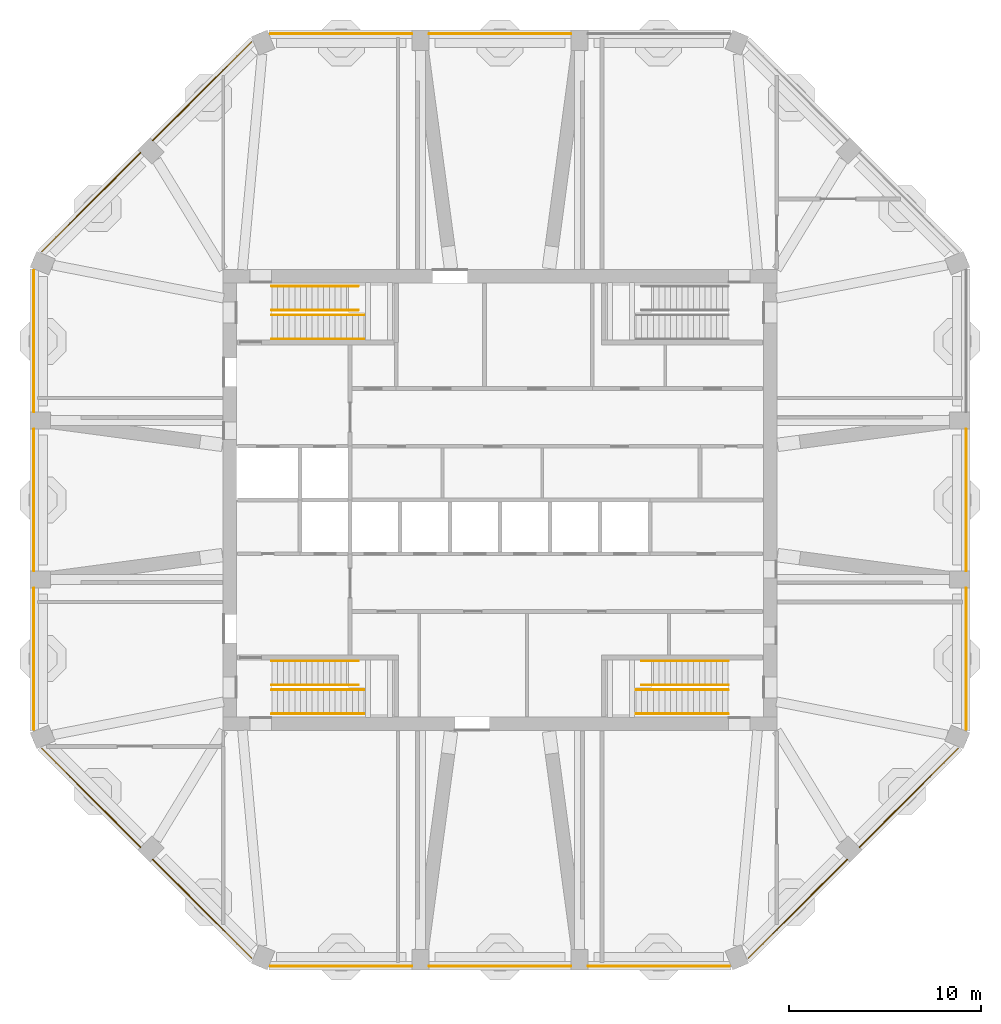
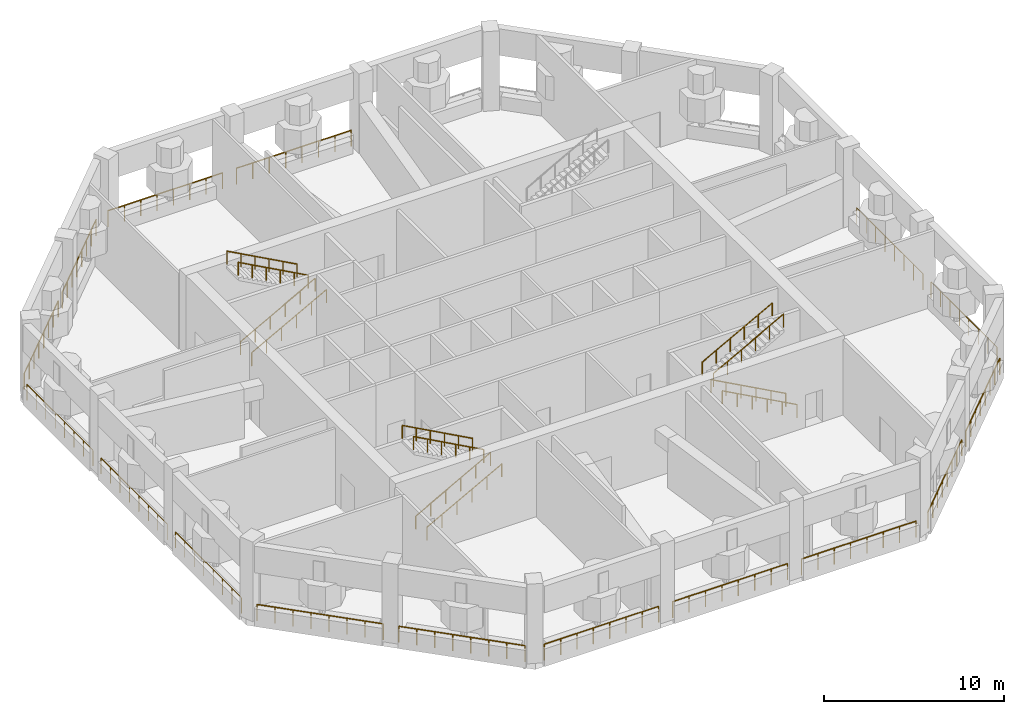
# One storey, part 7 of 9: 28 railings.
"""IFC4 building model written with IfcOpenShell, lengths in metres."""

import ifcopenshell
import ifcopenshell.guid

model = None  # the IFC model being written
_history = None  # IfcOwnerHistory: only IFC2X3 demands one
_inside = {}  # id of a spatial element -> (the spatial element, [elements in it])
_under = {}  # id of a project, library or spatial element -> (it, [spatial elements below it])
_declared = {}  # id of a project -> (the project, [libraries it declares])
_typed = {}  # id of a type object -> (the type object, [elements of that type])
_made_of = {}  # id of a material, layer set ... -> (it, [elements and type objects made of it])


def new_model(schema):
    """Start an empty IFC model of exactly this schema.

    Asked for "IFC4X3", IfcOpenShell would pick the latest addendum, in which some entities
    have other attributes; the version numbers below select the first issue.
    IFC2X3 requires an IfcOwnerHistory on every rooted entity: one is made here for all.
    """
    global model, _history
    if schema == "IFC4X3":
        model = ifcopenshell.file(schema_version=(4, 3, 0, 0))
    else:
        model = ifcopenshell.file(schema=schema)
    _inside.clear()
    _under.clear()
    _declared.clear()
    _typed.clear()
    _made_of.clear()
    _history = None
    if model.schema == "IFC2X3":
        org = make("IfcOrganization", Name="unknown")
        user = make(
            "IfcPersonAndOrganization",
            ThePerson=make("IfcPerson", FamilyName="unknown"),
            TheOrganization=org,
        )
        app = make(
            "IfcApplication",
            ApplicationDeveloper=org,
            Version="unknown",
            ApplicationFullName="unknown",
            ApplicationIdentifier="unknown",
        )
        _history = make(
            "IfcOwnerHistory",
            OwningUser=user,
            OwningApplication=app,
            ChangeAction="ADDED",
            CreationDate=0,
        )
    return model


def make(cls, **values):
    """One entity of the class cls with the attributes given. An attribute that is None is left unset."""
    return model.create_entity(
        cls, **{name: value for name, value in values.items() if value is not None}
    )


def rooted(cls, **values):
    """An entity with a GlobalId (a new one), such as an element, a storey or a relation."""
    return make(cls, GlobalId=ifcopenshell.guid.new(), OwnerHistory=_history, **values)


def si_unit(unit_type, name, prefix=None):
    """IfcSIUnit, for example si_unit("LENGTHUNIT", "METRE", prefix="MILLI")."""
    return make("IfcSIUnit", UnitType=unit_type, Prefix=prefix, Name=name)


def assignment(units):
    """IfcUnitAssignment: the units of a project."""
    return None if units is None else make("IfcUnitAssignment", Units=units)


def point(xyz):
    """IfcCartesianPoint."""
    return None if xyz is None else make("IfcCartesianPoint", Coordinates=xyz)


def direction(xyz):
    """IfcDirection."""
    return None if xyz is None else make("IfcDirection", DirectionRatios=xyz)


def frame(location, z_axis=None, x_axis=None):
    """IfcAxis2Placement3D, a coordinate frame: its origin and axes. An axis left out is left unset."""
    return make(
        "IfcAxis2Placement3D",
        Location=point(location),
        Axis=direction(z_axis),
        RefDirection=direction(x_axis),
    )


def frame_2d(location, x_axis=None):
    """IfcAxis2Placement2D, a coordinate frame in the plane: its origin and x axis."""
    return make(
        "IfcAxis2Placement2D", Location=point(location), RefDirection=direction(x_axis)
    )


def origin():
    """The frame at (0, 0, 0) with its axes left unset."""
    return frame((0.0, 0.0, 0.0))


def origin_2d():
    """The frame at (0, 0) in the plane with its x axis left unset."""
    return frame_2d((0.0, 0.0))


def place(relative_to, where):
    """IfcLocalPlacement: puts the frame where relative to a parent placement (None: the world)."""
    return make(
        "IfcLocalPlacement", PlacementRelTo=relative_to, RelativePlacement=where
    )


def context(
    kind, dimensions, precision=None, world=None, true_north=None, identifier=None
):
    """IfcGeometricRepresentationContext, for example the 3D "Model" context."""
    return make(
        "IfcGeometricRepresentationContext",
        ContextIdentifier=identifier,
        ContextType=kind,
        CoordinateSpaceDimension=dimensions,
        Precision=precision,
        WorldCoordinateSystem=world,
        TrueNorth=true_north,
    )


def subcontext(parent, identifier, kind, view, scale=None):
    """IfcGeometricRepresentationSubContext, for example "Body" below "Model"."""
    return make(
        "IfcGeometricRepresentationSubContext",
        ContextIdentifier=identifier,
        ContextType=kind,
        ParentContext=parent,
        TargetScale=scale,
        TargetView=view,
    )


def project(units=None, contexts=None):
    """IfcProject with its units and contexts."""
    return rooted(
        "IfcProject",
        Name="project",
        RepresentationContexts=contexts,
        UnitsInContext=assignment(units),
    )


def spatial(cls, under=None, at=None, **own):
    """A site, building, storey or space (cls), placed at a placement, below another one or the project."""
    s = rooted(cls, ObjectPlacement=at, **own)
    if under is not None:
        _under.setdefault(under.id(), (under, []))[1].append(s)
    return s


def profile(cls, at=None, kind="AREA", **sizes):
    """A parametric profile (cls). Its sizes go by their IFC names, for example OverallWidth=200.0."""
    return make(cls, ProfileType=kind, Position=at, **sizes)


def circle(**sizes):
    """IfcCircleProfileDef."""
    return profile("IfcCircleProfileDef", **sizes)


def extrude(swept, where, along, depth):
    """IfcExtrudedAreaSolid: the profile swept, set in the frame where, extruded along a direction by depth."""
    return make(
        "IfcExtrudedAreaSolid",
        SweptArea=swept,
        Position=where,
        ExtrudedDirection=direction(along),
        Depth=depth,
    )


def shape(context_of_items, identifier, shape_type, items):
    """IfcShapeRepresentation: the items that make up one representation, for example the "Body"."""
    return make(
        "IfcShapeRepresentation",
        ContextOfItems=context_of_items,
        RepresentationIdentifier=identifier,
        RepresentationType=shape_type,
        Items=items,
    )


def material(Name=None, Category=None):
    """IfcMaterial."""
    return make("IfcMaterial", Name=Name, Category=Category)


def constituent(of_material, Name=None, Category=None, fraction=None):
    """IfcMaterialConstituent: one of the materials an element consists of."""
    return make(
        "IfcMaterialConstituent",
        Name=Name,
        Material=of_material,
        Fraction=fraction,
        Category=Category,
    )


def constituent_set(constituents=None, Name=None):
    """IfcMaterialConstituentSet."""
    return make(
        "IfcMaterialConstituentSet", Name=Name, MaterialConstituents=constituents
    )


def made_of(thing, what):
    """Note that an element or type object is made of a material, layer set ...; save() writes the relation."""
    if what is not None:
        _made_of.setdefault(what.id(), (what, []))[1].append(thing)
    return thing


def type_object(cls, material=None, **own):
    """A type object (cls), such as IfcWallType, which elements share."""
    return made_of(rooted(cls, **own), material)


def element(
    cls,
    number,
    at=None,
    inside=None,
    cuts=None,
    type_object=None,
    material=None,
    context=None,
    identifier="Body",
    shape_type=None,
    held_by="IfcProductDefinitionShape",
    body=None,
    shapes=None,
    **own,
):
    """One element of the class cls, such as IfcWall. Its Tag is "e" and its number.

    at: its placement. inside: the storey or other place that contains it. cuts: it is an
    opening in that element (IfcRelVoidsElement). A single representation is given by context,
    identifier, shape_type and body (its items); several are given by shapes. held_by: the class
    of the entity that holds the representations. save() writes the other relations.
    """
    e = rooted(cls, Tag="e%d" % number, ObjectPlacement=at, **own)
    if body is not None:
        shapes = [shape(context, identifier, shape_type, body)]
    if shapes is not None:
        e.Representation = make(held_by, Representations=shapes)
    if inside is not None:
        _inside.setdefault(inside.id(), (inside, []))[1].append(e)
    if cuts is not None:
        rooted(
            "IfcRelVoidsElement", RelatingBuildingElement=cuts, RelatedOpeningElement=e
        )
    if type_object is not None:
        _typed.setdefault(type_object.id(), (type_object, []))[1].append(e)
    return made_of(e, material)


def aggregate(whole, parts):
    """IfcRelAggregates: a whole, such as a stair, and the parts it consists of."""
    return rooted("IfcRelAggregates", RelatingObject=whole, RelatedObjects=parts)


def save(model, path):
    """Write the relations noted so far, then the file.

    IfcRelAggregates (storeys below a building ...), IfcRelContainedInSpatialStructure (elements
    in a storey), IfcRelDefinesByType, IfcRelAssociatesMaterial and IfcRelDeclares: one each for
    every whole, place, type object, material and project.
    """
    for whole, parts in _under.values():
        aggregate(whole, parts)
    for where, things in _inside.values():
        rooted(
            "IfcRelContainedInSpatialStructure",
            RelatedElements=things,
            RelatingStructure=where,
        )
    for kind, things in _typed.values():
        rooted("IfcRelDefinesByType", RelatedObjects=things, RelatingType=kind)
    for what, things in _made_of.values():
        rooted("IfcRelAssociatesMaterial", RelatedObjects=things, RelatingMaterial=what)
    for by, libraries in _declared.values():
        rooted("IfcRelDeclares", RelatingContext=by, RelatedDefinitions=libraries)
    model.write(path)


model = new_model("IFC4")

# Units and contexts
model_context = context("Model", 3, precision=1e-05, world=origin(), true_north=direction((0.0, 1.0)))
body_context = subcontext(model_context, "Body", "Model", "MODEL_VIEW")
ifc_project = project(units=[si_unit("LENGTHUNIT", "METRE"), si_unit("AREAUNIT", "SQUARE_METRE"), si_unit("VOLUMEUNIT", "CUBIC_METRE"), si_unit("PLANEANGLEUNIT", "RADIAN"), si_unit("MASSUNIT", "GRAM", prefix="KILO")], contexts=[model_context])

# Site, building, storey
site_placement = place(None, origin())
site = spatial("IfcSite", under=ifc_project, at=site_placement, CompositionType="ELEMENT")
building_placement = place(site_placement, origin())
building = spatial("IfcBuilding", under=site, at=building_placement, Name="Msitu Wima Residences", CompositionType="ELEMENT")
storey_placement = place(building_placement, frame((0.0, 0.0, 208.5)))
storey = spatial("IfcBuildingStorey", under=building, at=storey_placement, Name="L48", CompositionType="ELEMENT", Elevation=208.5)

# Railings
ifc_material_1 = material(Name="Steel S355", Category="steel")
ifc_constituent_1 = constituent(ifc_material_1, Name="Steel S355")
ifc_material_2 = material(Name="Black powder coating")
ifc_constituent_2 = constituent(ifc_material_2, Name="Black powder coating")
ifc_constituent_set_1 = constituent_set(constituents=[ifc_constituent_1, ifc_constituent_2], Name="Steel S355")
railing_type_1 = type_object("IfcRailingType", Name="Stair handrail HR1", PredefinedType="HANDRAIL", material=ifc_constituent_set_1)
for number, where, name in (
    (1, (-11.875, 8.375, 0.16357421875), "Stair 1 handrail"),
    (2, (-11.875, 9.625, 0.16357421875), "Stair 1 handrail"),
):
    element("IfcRailing", number, at=place(storey_placement, frame(where)), inside=storey, type_object=railing_type_1, Name=name, PredefinedType="HANDRAIL", context=body_context, shape_type="SweptSolid", body=[
        extrude(circle(Radius=0.02392578125, at=origin_2d()), frame((0.0, 0.0, 0.8759765625), z_axis=(0.877898985768, 0.0, 0.478845873729), x_axis=(0.0, 1.0, 0.0)), (0.0, 0.0, 1.0), 5.4677734375),
        extrude(circle(Radius=0.02099609375, at=origin_2d()), origin(), (0.0, 0.0, 1.0), 0.851806640625),
        extrude(circle(Radius=0.02099609375, at=origin_2d()), frame((0.9599609375, 0.0, 0.523681640625)), (0.0, 0.0, 1.0), 0.851806640625),
        extrude(circle(Radius=0.02099609375, at=origin_2d()), frame((1.919921875, 0.0, 1.04736328125)), (0.0, 0.0, 1.0), 0.851806640625),
        extrude(circle(Radius=0.02099609375, at=origin_2d()), frame((2.880126953125, 0.0, 1.57080078125)), (0.0, 0.0, 1.0), 0.851806640625),
        extrude(circle(Radius=0.02099609375, at=origin_2d()), frame((3.840087890625, 0.0, 2.094482421875)), (0.0, 0.0, 1.0), 0.851806640625),
        extrude(circle(Radius=0.02099609375, at=origin_2d()), frame((4.800048828125, 0.0, 2.6181640625)), (0.0, 0.0, 1.0), 0.851806640625),
    ])
for number, where, name in (
    (3, (-7.375, 9.875, 2.945556640625), "Stair 1 handrail"),
    (4, (-7.375, 11.125, 2.945556640625), "Stair 1 handrail"),
):
    element("IfcRailing", number, at=place(storey_placement, frame(where)), inside=storey, type_object=railing_type_1, Name=name, PredefinedType="HANDRAIL", context=body_context, shape_type="SweptSolid", body=[
        extrude(circle(Radius=0.02392578125, at=origin_2d()), frame((0.0, 0.0, 0.8759765625), z_axis=(-0.877911954615, 0.0, 0.47882209634), x_axis=(0.0, -1.0, 0.0)), (0.0, 0.0, 1.0), 5.125732421875),
        extrude(circle(Radius=0.02099609375, at=origin_2d()), origin(), (0.0, 0.0, 1.0), 0.851806640625),
        extrude(circle(Radius=0.02099609375, at=origin_2d()), frame((-0.89990234375, 0.0, 0.490966796875)), (0.0, 0.0, 1.0), 0.851806640625),
        extrude(circle(Radius=0.02099609375, at=origin_2d()), frame((-1.800048828125, 0.0, 0.981689453125)), (0.0, 0.0, 1.0), 0.851806640625),
        extrude(circle(Radius=0.02099609375, at=origin_2d()), frame((-2.699951171875, 0.0, 1.47265625)), (0.0, 0.0, 1.0), 0.851806640625),
        extrude(circle(Radius=0.02099609375, at=origin_2d()), frame((-3.60009765625, 0.0, 1.96337890625)), (0.0, 0.0, 1.0), 0.851806640625),
        extrude(circle(Radius=0.02099609375, at=origin_2d()), frame((-4.5, 0.0, 2.454345703125)), (0.0, 0.0, 1.0), 0.851806640625),
    ])
for number, where, name in (
    (5, (-11.875, -11.125, 0.16357421875), "Stair 2 handrail"),
    (6, (-11.875, -9.875, 0.16357421875), "Stair 2 handrail"),
):
    element("IfcRailing", number, at=place(storey_placement, frame(where)), inside=storey, type_object=railing_type_1, Name=name, PredefinedType="HANDRAIL", context=body_context, shape_type="SweptSolid", body=[
        extrude(circle(Radius=0.02392578125, at=origin_2d()), frame((0.0, 0.0, 0.8759765625), z_axis=(0.877898985768, 0.0, 0.478845873729), x_axis=(0.0, 1.0, 0.0)), (0.0, 0.0, 1.0), 5.4677734375),
        extrude(circle(Radius=0.02099609375, at=origin_2d()), origin(), (0.0, 0.0, 1.0), 0.851806640625),
        extrude(circle(Radius=0.02099609375, at=origin_2d()), frame((0.9599609375, 0.0, 0.523681640625)), (0.0, 0.0, 1.0), 0.851806640625),
        extrude(circle(Radius=0.02099609375, at=origin_2d()), frame((1.919921875, 0.0, 1.04736328125)), (0.0, 0.0, 1.0), 0.851806640625),
        extrude(circle(Radius=0.02099609375, at=origin_2d()), frame((2.880126953125, 0.0, 1.57080078125)), (0.0, 0.0, 1.0), 0.851806640625),
        extrude(circle(Radius=0.02099609375, at=origin_2d()), frame((3.840087890625, 0.0, 2.094482421875)), (0.0, 0.0, 1.0), 0.851806640625),
        extrude(circle(Radius=0.02099609375, at=origin_2d()), frame((4.800048828125, 0.0, 2.6181640625)), (0.0, 0.0, 1.0), 0.851806640625),
    ])
for number, where, name in (
    (7, (-7.375, -9.625, 2.945556640625), "Stair 2 handrail"),
    (8, (-7.375, -8.375, 2.945556640625), "Stair 2 handrail"),
):
    element("IfcRailing", number, at=place(storey_placement, frame(where)), inside=storey, type_object=railing_type_1, Name=name, PredefinedType="HANDRAIL", context=body_context, shape_type="SweptSolid", body=[
        extrude(circle(Radius=0.02392578125, at=origin_2d()), frame((0.0, 0.0, 0.8759765625), z_axis=(-0.877911954615, 0.0, 0.47882209634), x_axis=(0.0, -1.0, 0.0)), (0.0, 0.0, 1.0), 5.125732421875),
        extrude(circle(Radius=0.02099609375, at=origin_2d()), origin(), (0.0, 0.0, 1.0), 0.851806640625),
        extrude(circle(Radius=0.02099609375, at=origin_2d()), frame((-0.89990234375, 0.0, 0.490966796875)), (0.0, 0.0, 1.0), 0.851806640625),
        extrude(circle(Radius=0.02099609375, at=origin_2d()), frame((-1.800048828125, 0.0, 0.981689453125)), (0.0, 0.0, 1.0), 0.851806640625),
        extrude(circle(Radius=0.02099609375, at=origin_2d()), frame((-2.699951171875, 0.0, 1.47265625)), (0.0, 0.0, 1.0), 0.851806640625),
        extrude(circle(Radius=0.02099609375, at=origin_2d()), frame((-3.60009765625, 0.0, 1.96337890625)), (0.0, 0.0, 1.0), 0.851806640625),
        extrude(circle(Radius=0.02099609375, at=origin_2d()), frame((-4.5, 0.0, 2.454345703125)), (0.0, 0.0, 1.0), 0.851806640625),
    ])
for number, where, name in (
    (9, (11.875, -11.125, 0.16357421875), "Stair 4 handrail"),
    (10, (11.875, -9.875, 0.16357421875), "Stair 4 handrail"),
):
    element("IfcRailing", number, at=place(storey_placement, frame(where)), inside=storey, type_object=railing_type_1, Name=name, PredefinedType="HANDRAIL", context=body_context, shape_type="SweptSolid", body=[
        extrude(circle(Radius=0.02392578125, at=origin_2d()), frame((0.0, 0.0, 0.8759765625), z_axis=(-0.877898985768, 0.0, 0.478845873729), x_axis=(0.0, -1.0, 0.0)), (0.0, 0.0, 1.0), 5.4677734375),
        extrude(circle(Radius=0.02099609375, at=origin_2d()), origin(), (0.0, 0.0, 1.0), 0.851806640625),
        extrude(circle(Radius=0.02099609375, at=origin_2d()), frame((-0.9599609375, 0.0, 0.523681640625)), (0.0, 0.0, 1.0), 0.851806640625),
        extrude(circle(Radius=0.02099609375, at=origin_2d()), frame((-1.919921875, 0.0, 1.04736328125)), (0.0, 0.0, 1.0), 0.851806640625),
        extrude(circle(Radius=0.02099609375, at=origin_2d()), frame((-2.880126953125, 0.0, 1.57080078125)), (0.0, 0.0, 1.0), 0.851806640625),
        extrude(circle(Radius=0.02099609375, at=origin_2d()), frame((-3.840087890625, 0.0, 2.094482421875)), (0.0, 0.0, 1.0), 0.851806640625),
        extrude(circle(Radius=0.02099609375, at=origin_2d()), frame((-4.800048828125, 0.0, 2.6181640625)), (0.0, 0.0, 1.0), 0.851806640625),
    ])
for number, where, name in (
    (11, (7.375, -9.625, 2.945556640625), "Stair 4 handrail"),
    (12, (7.375, -8.375, 2.945556640625), "Stair 4 handrail"),
):
    element("IfcRailing", number, at=place(storey_placement, frame(where)), inside=storey, type_object=railing_type_1, Name=name, PredefinedType="HANDRAIL", context=body_context, shape_type="SweptSolid", body=[
        extrude(circle(Radius=0.02392578125, at=origin_2d()), frame((0.0, 0.0, 0.8759765625), z_axis=(0.877911954615, 0.0, 0.47882209634), x_axis=(0.0, 1.0, 0.0)), (0.0, 0.0, 1.0), 5.125732421875),
        extrude(circle(Radius=0.02099609375, at=origin_2d()), origin(), (0.0, 0.0, 1.0), 0.851806640625),
        extrude(circle(Radius=0.02099609375, at=origin_2d()), frame((0.89990234375, 0.0, 0.490966796875)), (0.0, 0.0, 1.0), 0.851806640625),
        extrude(circle(Radius=0.02099609375, at=origin_2d()), frame((1.800048828125, 0.0, 0.981689453125)), (0.0, 0.0, 1.0), 0.851806640625),
        extrude(circle(Radius=0.02099609375, at=origin_2d()), frame((2.699951171875, 0.0, 1.47265625)), (0.0, 0.0, 1.0), 0.851806640625),
        extrude(circle(Radius=0.02099609375, at=origin_2d()), frame((3.60009765625, 0.0, 1.96337890625)), (0.0, 0.0, 1.0), 0.851806640625),
        extrude(circle(Radius=0.02099609375, at=origin_2d()), frame((4.5, 0.0, 2.454345703125)), (0.0, 0.0, 1.0), 0.851806640625),
    ])
ifc_constituent_3 = constituent(ifc_material_1, Name="Steel S355")
ifc_material_3 = material(Name="Weathering patina")
ifc_constituent_4 = constituent(ifc_material_3, Name="Weathering patina")
ifc_constituent_set_2 = constituent_set(constituents=[ifc_constituent_3, ifc_constituent_4], Name="Steel S355")
railing_type_2 = type_object("IfcRailingType", Name="Terrace guard GR1100", PredefinedType="GUARDRAIL", material=ifc_constituent_set_2)
railing_1_placement = place(storey_placement, frame((24.25, -11.9248046875, 0.0)))
element("IfcRailing", 13, at=railing_1_placement, inside=storey, type_object=railing_type_2, Name="Refuge guard L48 E0", PredefinedType="GUARDRAIL", context=body_context, shape_type="SweptSolid", body=[
    extrude(circle(Radius=0.02392578125, at=origin_2d()), frame((0.0, 0.0, 1.076171875), z_axis=(0.0, 1.0, 0.0), x_axis=(-1.0, 0.0, 0.0)), (0.0, 0.0, 1.0), 7.337646484375),
    extrude(circle(Radius=0.02099609375, at=origin_2d()), origin(), (0.0, 0.0, 1.0), 1.052001953125),
    extrude(circle(Radius=0.02099609375, at=origin_2d()), frame((0.0, 1.04833984375, 0.0)), (0.0, 0.0, 1.0), 1.052001953125),
    extrude(circle(Radius=0.02099609375, at=origin_2d()), frame((0.0, 2.096435546875, 0.0)), (0.0, 0.0, 1.0), 1.052001953125),
    extrude(circle(Radius=0.02099609375, at=origin_2d()), frame((0.0, 3.144775390625, 0.0)), (0.0, 0.0, 1.0), 1.052001953125),
    extrude(circle(Radius=0.02099609375, at=origin_2d()), frame((0.0, 4.19287109375, 0.0)), (0.0, 0.0, 1.0), 1.052001953125),
    extrude(circle(Radius=0.02099609375, at=origin_2d()), frame((0.0, 5.2412109375, 0.0)), (0.0, 0.0, 1.0), 1.052001953125),
    extrude(circle(Radius=0.02099609375, at=origin_2d()), frame((0.0, 6.289306640625, 0.0)), (0.0, 0.0, 1.0), 1.052001953125),
    extrude(circle(Radius=0.02099609375, at=origin_2d()), frame((0.0, 7.337646484375, 0.0)), (0.0, 0.0, 1.0), 1.052001953125),
])
railing_2_placement = place(storey_placement, frame((24.25, -3.687255859375, 0.0)))
element("IfcRailing", 14, at=railing_2_placement, inside=storey, type_object=railing_type_2, Name="Refuge guard L48 E1", PredefinedType="GUARDRAIL", context=body_context, shape_type="SweptSolid", body=[
    extrude(circle(Radius=0.02392578125, at=origin_2d()), frame((0.0, 0.0, 1.076171875), z_axis=(0.0, 1.0, 0.0), x_axis=(-1.0, 0.0, 0.0)), (0.0, 0.0, 1.0), 7.37451171875),
    extrude(circle(Radius=0.02099609375, at=origin_2d()), origin(), (0.0, 0.0, 1.0), 1.052001953125),
    extrude(circle(Radius=0.02099609375, at=origin_2d()), frame((0.0, 1.053466796875, 0.0)), (0.0, 0.0, 1.0), 1.052001953125),
    extrude(circle(Radius=0.02099609375, at=origin_2d()), frame((0.0, 2.10693359375, 0.0)), (0.0, 0.0, 1.0), 1.052001953125),
    extrude(circle(Radius=0.02099609375, at=origin_2d()), frame((0.0, 3.160400390625, 0.0)), (0.0, 0.0, 1.0), 1.052001953125),
    extrude(circle(Radius=0.02099609375, at=origin_2d()), frame((0.0, 4.214111328125, 0.0)), (0.0, 0.0, 1.0), 1.052001953125),
    extrude(circle(Radius=0.02099609375, at=origin_2d()), frame((0.0, 5.267578125, 0.0)), (0.0, 0.0, 1.0), 1.052001953125),
    extrude(circle(Radius=0.02099609375, at=origin_2d()), frame((0.0, 6.321044921875, 0.0)), (0.0, 0.0, 1.0), 1.052001953125),
    extrude(circle(Radius=0.02099609375, at=origin_2d()), frame((0.0, 7.37451171875, 0.0)), (0.0, 0.0, 1.0), 1.052001953125),
])
railing_3_placement = place(storey_placement, frame((3.687255859375, 24.25, 0.0)))
element("IfcRailing", 15, at=railing_3_placement, inside=storey, type_object=railing_type_2, Name="Refuge guard L48 N1", PredefinedType="GUARDRAIL", context=body_context, shape_type="SweptSolid", body=[
    extrude(circle(Radius=0.02392578125, at=origin_2d()), frame((0.0, 0.0, 1.076171875), z_axis=(-1.0, 0.0, 0.0), x_axis=(0.0, -1.0, 0.0)), (0.0, 0.0, 1.0), 7.37451171875),
    extrude(circle(Radius=0.02099609375, at=origin_2d()), origin(), (0.0, 0.0, 1.0), 1.052001953125),
    extrude(circle(Radius=0.02099609375, at=origin_2d()), frame((-1.053466796875, 0.0, 0.0)), (0.0, 0.0, 1.0), 1.052001953125),
    extrude(circle(Radius=0.02099609375, at=origin_2d()), frame((-2.10693359375, 0.0, 0.0)), (0.0, 0.0, 1.0), 1.052001953125),
    extrude(circle(Radius=0.02099609375, at=origin_2d()), frame((-3.160400390625, 0.0, 0.0)), (0.0, 0.0, 1.0), 1.052001953125),
    extrude(circle(Radius=0.02099609375, at=origin_2d()), frame((-4.214111328125, 0.0, 0.0)), (0.0, 0.0, 1.0), 1.052001953125),
    extrude(circle(Radius=0.02099609375, at=origin_2d()), frame((-5.267578125, 0.0, 0.0)), (0.0, 0.0, 1.0), 1.052001953125),
    extrude(circle(Radius=0.02099609375, at=origin_2d()), frame((-6.321044921875, 0.0, 0.0)), (0.0, 0.0, 1.0), 1.052001953125),
    extrude(circle(Radius=0.02099609375, at=origin_2d()), frame((-7.37451171875, 0.0, 0.0)), (0.0, 0.0, 1.0), 1.052001953125),
])
railing_4_placement = place(storey_placement, frame((-4.587158203125, 24.25, 0.0)))
element("IfcRailing", 16, at=railing_4_placement, inside=storey, type_object=railing_type_2, Name="Refuge guard L48 N2", PredefinedType="GUARDRAIL", context=body_context, shape_type="SweptSolid", body=[
    extrude(circle(Radius=0.02392578125, at=origin_2d()), frame((0.0, 0.0, 1.076171875), z_axis=(-1.0, 0.0, 0.0), x_axis=(0.0, -1.0, 0.0)), (0.0, 0.0, 1.0), 7.337646484375),
    extrude(circle(Radius=0.02099609375, at=origin_2d()), origin(), (0.0, 0.0, 1.0), 1.052001953125),
    extrude(circle(Radius=0.02099609375, at=origin_2d()), frame((-1.04833984375, 0.0, 0.0)), (0.0, 0.0, 1.0), 1.052001953125),
    extrude(circle(Radius=0.02099609375, at=origin_2d()), frame((-2.096435546875, 0.0, 0.0)), (0.0, 0.0, 1.0), 1.052001953125),
    extrude(circle(Radius=0.02099609375, at=origin_2d()), frame((-3.144775390625, 0.0, 0.0)), (0.0, 0.0, 1.0), 1.052001953125),
    extrude(circle(Radius=0.02099609375, at=origin_2d()), frame((-4.19287109375, 0.0, 0.0)), (0.0, 0.0, 1.0), 1.052001953125),
    extrude(circle(Radius=0.02099609375, at=origin_2d()), frame((-5.2412109375, 0.0, 0.0)), (0.0, 0.0, 1.0), 1.052001953125),
    extrude(circle(Radius=0.02099609375, at=origin_2d()), frame((-6.289306640625, 0.0, 0.0)), (0.0, 0.0, 1.0), 1.052001953125),
    extrude(circle(Radius=0.02099609375, at=origin_2d()), frame((-7.337646484375, 0.0, 0.0)), (0.0, 0.0, 1.0), 1.052001953125),
])
railing_5_placement = place(storey_placement, frame((-12.932861328125, 23.832275390625, 0.0)))
element("IfcRailing", 17, at=railing_5_placement, inside=storey, type_object=railing_type_2, Name="Refuge guard L48 NW0", PredefinedType="GUARDRAIL", context=body_context, shape_type="SweptSolid", body=[
    extrude(circle(Radius=0.02392578125, at=origin_2d()), frame((0.0, 0.0, 1.076171875), z_axis=(-0.707123602044, -0.707089959929, 0.0), x_axis=(0.707089959929, -0.707123602044, 0.0)), (0.0, 0.0, 1.0), 7.257080078125),
    extrude(circle(Radius=0.02099609375, at=origin_2d()), origin(), (0.0, 0.0, 1.0), 1.052001953125),
    extrude(circle(Radius=0.02099609375, at=origin_2d()), frame((-0.733154296875, -0.733154296875, 0.0)), (0.0, 0.0, 1.0), 1.052001953125),
    extrude(circle(Radius=0.02099609375, at=origin_2d()), frame((-1.466064453125, -1.466064453125, 0.0)), (0.0, 0.0, 1.0), 1.052001953125),
    extrude(circle(Radius=0.02099609375, at=origin_2d()), frame((-2.19921875, -2.19921875, 0.0)), (0.0, 0.0, 1.0), 1.052001953125),
    extrude(circle(Radius=0.02099609375, at=origin_2d()), frame((-2.932373046875, -2.93212890625, 0.0)), (0.0, 0.0, 1.0), 1.052001953125),
    extrude(circle(Radius=0.02099609375, at=origin_2d()), frame((-3.66552734375, -3.665283203125, 0.0)), (0.0, 0.0, 1.0), 1.052001953125),
    extrude(circle(Radius=0.02099609375, at=origin_2d()), frame((-4.3984375, -4.398193359375, 0.0)), (0.0, 0.0, 1.0), 1.052001953125),
    extrude(circle(Radius=0.02099609375, at=origin_2d()), frame((-5.131591796875, -5.13134765625, 0.0)), (0.0, 0.0, 1.0), 1.052001953125),
])
railing_6_placement = place(storey_placement, frame((-18.700927734375, 18.064453125, 0.0)))
element("IfcRailing", 18, at=railing_6_placement, inside=storey, type_object=railing_type_2, Name="Refuge guard L48 NW1", PredefinedType="GUARDRAIL", context=body_context, shape_type="SweptSolid", body=[
    extrude(circle(Radius=0.02392578125, at=origin_2d()), frame((0.0, 0.0, 1.076171875), z_axis=(-0.707089959929, -0.707123602044, 0.0), x_axis=(0.707123602044, -0.707089959929, 0.0)), (0.0, 0.0, 1.0), 7.257080078125),
    extrude(circle(Radius=0.02099609375, at=origin_2d()), origin(), (0.0, 0.0, 1.0), 1.052001953125),
    extrude(circle(Radius=0.02099609375, at=origin_2d()), frame((-0.733154296875, -0.733154296875, 0.0)), (0.0, 0.0, 1.0), 1.052001953125),
    extrude(circle(Radius=0.02099609375, at=origin_2d()), frame((-1.466064453125, -1.466064453125, 0.0)), (0.0, 0.0, 1.0), 1.052001953125),
    extrude(circle(Radius=0.02099609375, at=origin_2d()), frame((-2.19921875, -2.19921875, 0.0)), (0.0, 0.0, 1.0), 1.052001953125),
    extrude(circle(Radius=0.02099609375, at=origin_2d()), frame((-2.93212890625, -2.932373046875, 0.0)), (0.0, 0.0, 1.0), 1.052001953125),
    extrude(circle(Radius=0.02099609375, at=origin_2d()), frame((-3.665283203125, -3.66552734375, 0.0)), (0.0, 0.0, 1.0), 1.052001953125),
    extrude(circle(Radius=0.02099609375, at=origin_2d()), frame((-4.398193359375, -4.3984375, 0.0)), (0.0, 0.0, 1.0), 1.052001953125),
    extrude(circle(Radius=0.02099609375, at=origin_2d()), frame((-5.13134765625, -5.131591796875, 0.0)), (0.0, 0.0, 1.0), 1.052001953125),
])
railing_7_placement = place(storey_placement, frame((-24.25, 11.9248046875, 0.0)))
element("IfcRailing", 19, at=railing_7_placement, inside=storey, type_object=railing_type_2, Name="Refuge guard L48 W0", PredefinedType="GUARDRAIL", context=body_context, shape_type="SweptSolid", body=[
    extrude(circle(Radius=0.02392578125, at=origin_2d()), frame((0.0, 0.0, 1.076171875), z_axis=(0.0, -1.0, 0.0), x_axis=(1.0, 0.0, 0.0)), (0.0, 0.0, 1.0), 7.337646484375),
    extrude(circle(Radius=0.02099609375, at=origin_2d()), origin(), (0.0, 0.0, 1.0), 1.052001953125),
    extrude(circle(Radius=0.02099609375, at=origin_2d()), frame((0.0, -1.04833984375, 0.0)), (0.0, 0.0, 1.0), 1.052001953125),
    extrude(circle(Radius=0.02099609375, at=origin_2d()), frame((0.0, -2.096435546875, 0.0)), (0.0, 0.0, 1.0), 1.052001953125),
    extrude(circle(Radius=0.02099609375, at=origin_2d()), frame((0.0, -3.144775390625, 0.0)), (0.0, 0.0, 1.0), 1.052001953125),
    extrude(circle(Radius=0.02099609375, at=origin_2d()), frame((0.0, -4.19287109375, 0.0)), (0.0, 0.0, 1.0), 1.052001953125),
    extrude(circle(Radius=0.02099609375, at=origin_2d()), frame((0.0, -5.2412109375, 0.0)), (0.0, 0.0, 1.0), 1.052001953125),
    extrude(circle(Radius=0.02099609375, at=origin_2d()), frame((0.0, -6.289306640625, 0.0)), (0.0, 0.0, 1.0), 1.052001953125),
    extrude(circle(Radius=0.02099609375, at=origin_2d()), frame((0.0, -7.337646484375, 0.0)), (0.0, 0.0, 1.0), 1.052001953125),
])
railing_8_placement = place(storey_placement, frame((-24.25, 3.687255859375, 0.0)))
element("IfcRailing", 20, at=railing_8_placement, inside=storey, type_object=railing_type_2, Name="Refuge guard L48 W1", PredefinedType="GUARDRAIL", context=body_context, shape_type="SweptSolid", body=[
    extrude(circle(Radius=0.02392578125, at=origin_2d()), frame((0.0, 0.0, 1.076171875), z_axis=(0.0, -1.0, 0.0), x_axis=(1.0, 0.0, 0.0)), (0.0, 0.0, 1.0), 7.37451171875),
    extrude(circle(Radius=0.02099609375, at=origin_2d()), origin(), (0.0, 0.0, 1.0), 1.052001953125),
    extrude(circle(Radius=0.02099609375, at=origin_2d()), frame((0.0, -1.053466796875, 0.0)), (0.0, 0.0, 1.0), 1.052001953125),
    extrude(circle(Radius=0.02099609375, at=origin_2d()), frame((0.0, -2.10693359375, 0.0)), (0.0, 0.0, 1.0), 1.052001953125),
    extrude(circle(Radius=0.02099609375, at=origin_2d()), frame((0.0, -3.160400390625, 0.0)), (0.0, 0.0, 1.0), 1.052001953125),
    extrude(circle(Radius=0.02099609375, at=origin_2d()), frame((0.0, -4.214111328125, 0.0)), (0.0, 0.0, 1.0), 1.052001953125),
    extrude(circle(Radius=0.02099609375, at=origin_2d()), frame((0.0, -5.267578125, 0.0)), (0.0, 0.0, 1.0), 1.052001953125),
    extrude(circle(Radius=0.02099609375, at=origin_2d()), frame((0.0, -6.321044921875, 0.0)), (0.0, 0.0, 1.0), 1.052001953125),
    extrude(circle(Radius=0.02099609375, at=origin_2d()), frame((0.0, -7.37451171875, 0.0)), (0.0, 0.0, 1.0), 1.052001953125),
])
railing_9_placement = place(storey_placement, frame((-24.25, -4.587158203125, 0.0)))
element("IfcRailing", 21, at=railing_9_placement, inside=storey, type_object=railing_type_2, Name="Refuge guard L48 W2", PredefinedType="GUARDRAIL", context=body_context, shape_type="SweptSolid", body=[
    extrude(circle(Radius=0.02392578125, at=origin_2d()), frame((0.0, 0.0, 1.076171875), z_axis=(0.0, -1.0, 0.0), x_axis=(1.0, 0.0, 0.0)), (0.0, 0.0, 1.0), 7.337646484375),
    extrude(circle(Radius=0.02099609375, at=origin_2d()), origin(), (0.0, 0.0, 1.0), 1.052001953125),
    extrude(circle(Radius=0.02099609375, at=origin_2d()), frame((0.0, -1.04833984375, 0.0)), (0.0, 0.0, 1.0), 1.052001953125),
    extrude(circle(Radius=0.02099609375, at=origin_2d()), frame((0.0, -2.096435546875, 0.0)), (0.0, 0.0, 1.0), 1.052001953125),
    extrude(circle(Radius=0.02099609375, at=origin_2d()), frame((0.0, -3.144775390625, 0.0)), (0.0, 0.0, 1.0), 1.052001953125),
    extrude(circle(Radius=0.02099609375, at=origin_2d()), frame((0.0, -4.19287109375, 0.0)), (0.0, 0.0, 1.0), 1.052001953125),
    extrude(circle(Radius=0.02099609375, at=origin_2d()), frame((0.0, -5.2412109375, 0.0)), (0.0, 0.0, 1.0), 1.052001953125),
    extrude(circle(Radius=0.02099609375, at=origin_2d()), frame((0.0, -6.289306640625, 0.0)), (0.0, 0.0, 1.0), 1.052001953125),
    extrude(circle(Radius=0.02099609375, at=origin_2d()), frame((0.0, -7.337646484375, 0.0)), (0.0, 0.0, 1.0), 1.052001953125),
])
railing_10_placement = place(storey_placement, frame((-23.832275390625, -12.932861328125, 0.0)))
element("IfcRailing", 22, at=railing_10_placement, inside=storey, type_object=railing_type_2, Name="Refuge guard L48 SW0", PredefinedType="GUARDRAIL", context=body_context, shape_type="SweptSolid", body=[
    extrude(circle(Radius=0.02392578125, at=origin_2d()), frame((0.0, 0.0, 1.076171875), z_axis=(0.707089959929, -0.707123602044, 0.0), x_axis=(0.707123602044, 0.707089959929, 0.0)), (0.0, 0.0, 1.0), 7.257080078125),
    extrude(circle(Radius=0.02099609375, at=origin_2d()), origin(), (0.0, 0.0, 1.0), 1.052001953125),
    extrude(circle(Radius=0.02099609375, at=origin_2d()), frame((0.733154296875, -0.733154296875, 0.0)), (0.0, 0.0, 1.0), 1.052001953125),
    extrude(circle(Radius=0.02099609375, at=origin_2d()), frame((1.466064453125, -1.466064453125, 0.0)), (0.0, 0.0, 1.0), 1.052001953125),
    extrude(circle(Radius=0.02099609375, at=origin_2d()), frame((2.19921875, -2.19921875, 0.0)), (0.0, 0.0, 1.0), 1.052001953125),
    extrude(circle(Radius=0.02099609375, at=origin_2d()), frame((2.93212890625, -2.932373046875, 0.0)), (0.0, 0.0, 1.0), 1.052001953125),
    extrude(circle(Radius=0.02099609375, at=origin_2d()), frame((3.665283203125, -3.66552734375, 0.0)), (0.0, 0.0, 1.0), 1.052001953125),
    extrude(circle(Radius=0.02099609375, at=origin_2d()), frame((4.398193359375, -4.3984375, 0.0)), (0.0, 0.0, 1.0), 1.052001953125),
    extrude(circle(Radius=0.02099609375, at=origin_2d()), frame((5.13134765625, -5.131591796875, 0.0)), (0.0, 0.0, 1.0), 1.052001953125),
])
railing_11_placement = place(storey_placement, frame((-18.064453125, -18.700927734375, 0.0)))
element("IfcRailing", 23, at=railing_11_placement, inside=storey, type_object=railing_type_2, Name="Refuge guard L48 SW1", PredefinedType="GUARDRAIL", context=body_context, shape_type="SweptSolid", body=[
    extrude(circle(Radius=0.02392578125, at=origin_2d()), frame((0.0, 0.0, 1.076171875), z_axis=(0.707123602044, -0.707089959929, 0.0), x_axis=(0.707089959929, 0.707123602044, 0.0)), (0.0, 0.0, 1.0), 7.257080078125),
    extrude(circle(Radius=0.02099609375, at=origin_2d()), origin(), (0.0, 0.0, 1.0), 1.052001953125),
    extrude(circle(Radius=0.02099609375, at=origin_2d()), frame((0.733154296875, -0.733154296875, 0.0)), (0.0, 0.0, 1.0), 1.052001953125),
    extrude(circle(Radius=0.02099609375, at=origin_2d()), frame((1.466064453125, -1.466064453125, 0.0)), (0.0, 0.0, 1.0), 1.052001953125),
    extrude(circle(Radius=0.02099609375, at=origin_2d()), frame((2.19921875, -2.19921875, 0.0)), (0.0, 0.0, 1.0), 1.052001953125),
    extrude(circle(Radius=0.02099609375, at=origin_2d()), frame((2.932373046875, -2.93212890625, 0.0)), (0.0, 0.0, 1.0), 1.052001953125),
    extrude(circle(Radius=0.02099609375, at=origin_2d()), frame((3.66552734375, -3.665283203125, 0.0)), (0.0, 0.0, 1.0), 1.052001953125),
    extrude(circle(Radius=0.02099609375, at=origin_2d()), frame((4.3984375, -4.398193359375, 0.0)), (0.0, 0.0, 1.0), 1.052001953125),
    extrude(circle(Radius=0.02099609375, at=origin_2d()), frame((5.131591796875, -5.13134765625, 0.0)), (0.0, 0.0, 1.0), 1.052001953125),
])
railing_12_placement = place(storey_placement, frame((-11.9248046875, -24.25, 0.0)))
element("IfcRailing", 24, at=railing_12_placement, inside=storey, type_object=railing_type_2, Name="Refuge guard L48 S0", PredefinedType="GUARDRAIL", context=body_context, shape_type="SweptSolid", body=[
    extrude(circle(Radius=0.02392578125, at=origin_2d()), frame((0.0, 0.0, 1.076171875), z_axis=(1.0, 0.0, 0.0), x_axis=(0.0, 1.0, 0.0)), (0.0, 0.0, 1.0), 7.337646484375),
    extrude(circle(Radius=0.02099609375, at=origin_2d()), origin(), (0.0, 0.0, 1.0), 1.052001953125),
    extrude(circle(Radius=0.02099609375, at=origin_2d()), frame((1.04833984375, 0.0, 0.0)), (0.0, 0.0, 1.0), 1.052001953125),
    extrude(circle(Radius=0.02099609375, at=origin_2d()), frame((2.096435546875, 0.0, 0.0)), (0.0, 0.0, 1.0), 1.052001953125),
    extrude(circle(Radius=0.02099609375, at=origin_2d()), frame((3.144775390625, 0.0, 0.0)), (0.0, 0.0, 1.0), 1.052001953125),
    extrude(circle(Radius=0.02099609375, at=origin_2d()), frame((4.19287109375, 0.0, 0.0)), (0.0, 0.0, 1.0), 1.052001953125),
    extrude(circle(Radius=0.02099609375, at=origin_2d()), frame((5.2412109375, 0.0, 0.0)), (0.0, 0.0, 1.0), 1.052001953125),
    extrude(circle(Radius=0.02099609375, at=origin_2d()), frame((6.289306640625, 0.0, 0.0)), (0.0, 0.0, 1.0), 1.052001953125),
    extrude(circle(Radius=0.02099609375, at=origin_2d()), frame((7.337646484375, 0.0, 0.0)), (0.0, 0.0, 1.0), 1.052001953125),
])
railing_13_placement = place(storey_placement, frame((-3.687255859375, -24.25, 0.0)))
element("IfcRailing", 25, at=railing_13_placement, inside=storey, type_object=railing_type_2, Name="Refuge guard L48 S1", PredefinedType="GUARDRAIL", context=body_context, shape_type="SweptSolid", body=[
    extrude(circle(Radius=0.02392578125, at=origin_2d()), frame((0.0, 0.0, 1.076171875), z_axis=(1.0, 0.0, 0.0), x_axis=(0.0, 1.0, 0.0)), (0.0, 0.0, 1.0), 7.37451171875),
    extrude(circle(Radius=0.02099609375, at=origin_2d()), origin(), (0.0, 0.0, 1.0), 1.052001953125),
    extrude(circle(Radius=0.02099609375, at=origin_2d()), frame((1.053466796875, 0.0, 0.0)), (0.0, 0.0, 1.0), 1.052001953125),
    extrude(circle(Radius=0.02099609375, at=origin_2d()), frame((2.10693359375, 0.0, 0.0)), (0.0, 0.0, 1.0), 1.052001953125),
    extrude(circle(Radius=0.02099609375, at=origin_2d()), frame((3.160400390625, 0.0, 0.0)), (0.0, 0.0, 1.0), 1.052001953125),
    extrude(circle(Radius=0.02099609375, at=origin_2d()), frame((4.214111328125, 0.0, 0.0)), (0.0, 0.0, 1.0), 1.052001953125),
    extrude(circle(Radius=0.02099609375, at=origin_2d()), frame((5.267578125, 0.0, 0.0)), (0.0, 0.0, 1.0), 1.052001953125),
    extrude(circle(Radius=0.02099609375, at=origin_2d()), frame((6.321044921875, 0.0, 0.0)), (0.0, 0.0, 1.0), 1.052001953125),
    extrude(circle(Radius=0.02099609375, at=origin_2d()), frame((7.37451171875, 0.0, 0.0)), (0.0, 0.0, 1.0), 1.052001953125),
])
railing_14_placement = place(storey_placement, frame((4.587158203125, -24.25, 0.0)))
element("IfcRailing", 26, at=railing_14_placement, inside=storey, type_object=railing_type_2, Name="Refuge guard L48 S2", PredefinedType="GUARDRAIL", context=body_context, shape_type="SweptSolid", body=[
    extrude(circle(Radius=0.02392578125, at=origin_2d()), frame((0.0, 0.0, 1.076171875), z_axis=(1.0, 0.0, 0.0), x_axis=(0.0, 1.0, 0.0)), (0.0, 0.0, 1.0), 7.337646484375),
    extrude(circle(Radius=0.02099609375, at=origin_2d()), origin(), (0.0, 0.0, 1.0), 1.052001953125),
    extrude(circle(Radius=0.02099609375, at=origin_2d()), frame((1.04833984375, 0.0, 0.0)), (0.0, 0.0, 1.0), 1.052001953125),
    extrude(circle(Radius=0.02099609375, at=origin_2d()), frame((2.096435546875, 0.0, 0.0)), (0.0, 0.0, 1.0), 1.052001953125),
    extrude(circle(Radius=0.02099609375, at=origin_2d()), frame((3.144775390625, 0.0, 0.0)), (0.0, 0.0, 1.0), 1.052001953125),
    extrude(circle(Radius=0.02099609375, at=origin_2d()), frame((4.19287109375, 0.0, 0.0)), (0.0, 0.0, 1.0), 1.052001953125),
    extrude(circle(Radius=0.02099609375, at=origin_2d()), frame((5.2412109375, 0.0, 0.0)), (0.0, 0.0, 1.0), 1.052001953125),
    extrude(circle(Radius=0.02099609375, at=origin_2d()), frame((6.289306640625, 0.0, 0.0)), (0.0, 0.0, 1.0), 1.052001953125),
    extrude(circle(Radius=0.02099609375, at=origin_2d()), frame((7.337646484375, 0.0, 0.0)), (0.0, 0.0, 1.0), 1.052001953125),
])
railing_15_placement = place(storey_placement, frame((12.932861328125, -23.832275390625, 0.0)))
element("IfcRailing", 27, at=railing_15_placement, inside=storey, type_object=railing_type_2, Name="Refuge guard L48 SE0", PredefinedType="GUARDRAIL", context=body_context, shape_type="SweptSolid", body=[
    extrude(circle(Radius=0.02392578125, at=origin_2d()), frame((0.0, 0.0, 1.076171875), z_axis=(0.707123602044, 0.707089959929, 0.0), x_axis=(-0.707089959929, 0.707123602044, 0.0)), (0.0, 0.0, 1.0), 7.257080078125),
    extrude(circle(Radius=0.02099609375, at=origin_2d()), origin(), (0.0, 0.0, 1.0), 1.052001953125),
    extrude(circle(Radius=0.02099609375, at=origin_2d()), frame((0.733154296875, 0.733154296875, 0.0)), (0.0, 0.0, 1.0), 1.052001953125),
    extrude(circle(Radius=0.02099609375, at=origin_2d()), frame((1.466064453125, 1.466064453125, 0.0)), (0.0, 0.0, 1.0), 1.052001953125),
    extrude(circle(Radius=0.02099609375, at=origin_2d()), frame((2.19921875, 2.19921875, 0.0)), (0.0, 0.0, 1.0), 1.052001953125),
    extrude(circle(Radius=0.02099609375, at=origin_2d()), frame((2.932373046875, 2.93212890625, 0.0)), (0.0, 0.0, 1.0), 1.052001953125),
    extrude(circle(Radius=0.02099609375, at=origin_2d()), frame((3.66552734375, 3.665283203125, 0.0)), (0.0, 0.0, 1.0), 1.052001953125),
    extrude(circle(Radius=0.02099609375, at=origin_2d()), frame((4.3984375, 4.398193359375, 0.0)), (0.0, 0.0, 1.0), 1.052001953125),
    extrude(circle(Radius=0.02099609375, at=origin_2d()), frame((5.131591796875, 5.13134765625, 0.0)), (0.0, 0.0, 1.0), 1.052001953125),
])
railing_16_placement = place(storey_placement, frame((18.700927734375, -18.064453125, 0.0)))
element("IfcRailing", 28, at=railing_16_placement, inside=storey, type_object=railing_type_2, Name="Refuge guard L48 SE1", PredefinedType="GUARDRAIL", context=body_context, shape_type="SweptSolid", body=[
    extrude(circle(Radius=0.02392578125, at=origin_2d()), frame((0.0, 0.0, 1.076171875), z_axis=(0.707089959929, 0.707123602044, 0.0), x_axis=(-0.707123602044, 0.707089959929, 0.0)), (0.0, 0.0, 1.0), 7.257080078125),
    extrude(circle(Radius=0.02099609375, at=origin_2d()), origin(), (0.0, 0.0, 1.0), 1.052001953125),
    extrude(circle(Radius=0.02099609375, at=origin_2d()), frame((0.733154296875, 0.733154296875, 0.0)), (0.0, 0.0, 1.0), 1.052001953125),
    extrude(circle(Radius=0.02099609375, at=origin_2d()), frame((1.466064453125, 1.466064453125, 0.0)), (0.0, 0.0, 1.0), 1.052001953125),
    extrude(circle(Radius=0.02099609375, at=origin_2d()), frame((2.19921875, 2.19921875, 0.0)), (0.0, 0.0, 1.0), 1.052001953125),
    extrude(circle(Radius=0.02099609375, at=origin_2d()), frame((2.93212890625, 2.932373046875, 0.0)), (0.0, 0.0, 1.0), 1.052001953125),
    extrude(circle(Radius=0.02099609375, at=origin_2d()), frame((3.665283203125, 3.66552734375, 0.0)), (0.0, 0.0, 1.0), 1.052001953125),
    extrude(circle(Radius=0.02099609375, at=origin_2d()), frame((4.398193359375, 4.3984375, 0.0)), (0.0, 0.0, 1.0), 1.052001953125),
    extrude(circle(Radius=0.02099609375, at=origin_2d()), frame((5.13134765625, 5.131591796875, 0.0)), (0.0, 0.0, 1.0), 1.052001953125),
])

save(model, "model.ifc")
